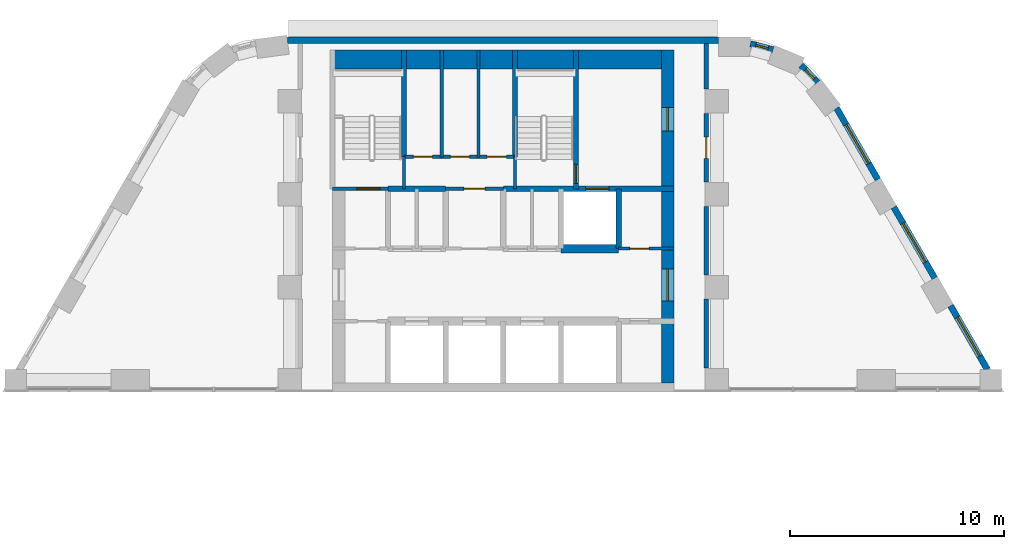
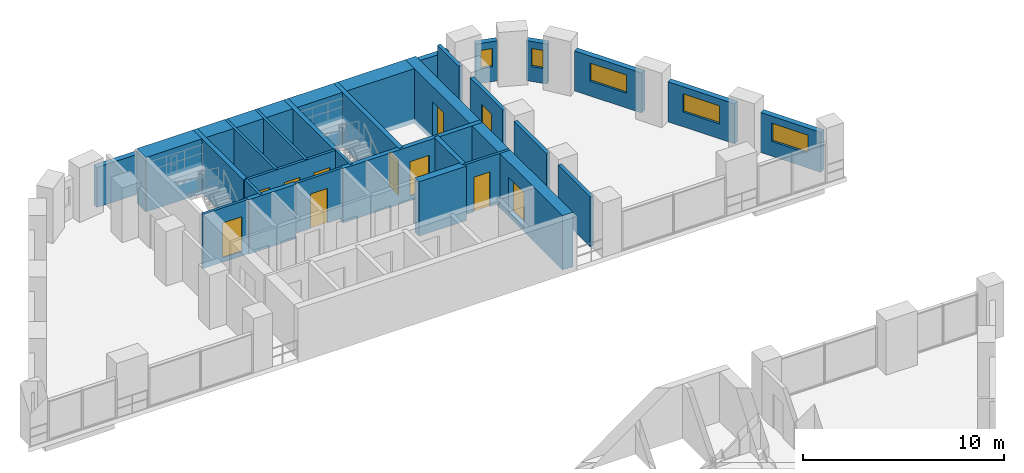
# One storey, part 8 of 11: 27 walls, 11 doors, 5 windows, 16 openings.
"""IFC4 building model written with IfcOpenShell, lengths in metres."""

from ifc_helpers import new_model, si_unit, direction, frame, frame_2d, origin, place, context, subcontext, project, spatial, rectangle, extrude, material, layer, layer_set, type_object, element, fill, save


model = new_model("IFC4")

# Units and contexts
model_context = context("Model", 3, precision=1e-05, world=origin(), true_north=direction((0.0, 1.0)))
body_context = subcontext(model_context, "Body", "Model", "MODEL_VIEW")
ifc_project = project(units=[si_unit("LENGTHUNIT", "METRE"), si_unit("AREAUNIT", "SQUARE_METRE"), si_unit("VOLUMEUNIT", "CUBIC_METRE"), si_unit("PLANEANGLEUNIT", "RADIAN"), si_unit("MASSUNIT", "GRAM", prefix="KILO")], contexts=[model_context])

# Site, building, storey
site_placement = place(None, origin())
site = spatial("IfcSite", under=ifc_project, at=site_placement, CompositionType="ELEMENT")
building_placement = place(site_placement, origin())
building = spatial("IfcBuilding", under=site, at=building_placement, Name="Nakaniwa Court", CompositionType="ELEMENT")
storey_placement = place(building_placement, frame((0.0, 0.0, 31.5)))
storey = spatial("IfcBuildingStorey", under=building, at=storey_placement, Name="L07", CompositionType="ELEMENT", Elevation=31.5)

# Walls
ifc_material_1 = material(Name="Acoustic double stud partition")
ifc_layer_1 = layer(ifc_material_1, 0.199951171875)
ifc_layer_set_1 = layer_set([ifc_layer_1], Name="Acoustic double stud partition")
wall_type_1 = type_object("IfcWallType", Name="Acoustic double stud partition 200", PredefinedType="PARTITIONING", material=ifc_layer_set_1)
wall_1_placement = place(storey_placement, frame((89.5, 88.51708984375, 0.0), z_axis=(0.0, 0.0, 1.0), x_axis=(0.0, 1.0, 0.0)))
element("IfcWall", 1, at=wall_1_placement, inside=storey, type_object=wall_type_1, Name="Partition PW-077", PredefinedType="PARTITIONING", context=body_context, shape_type="SweptSolid", body=[
    extrude(rectangle(XDim=3.2158203125, YDim=0.199951171875, at=frame_2d((1.60791015625, 0.0))), origin(), (0.0, 0.0, 1.0), 3.02490234375),
])
wall_2_placement = place(storey_placement, frame((89.5, 92.866943359375, 0.0), z_axis=(0.0, 0.0, 1.0), x_axis=(0.0, 1.0, 0.0)))
element("IfcWall", 2, at=wall_2_placement, inside=storey, type_object=wall_type_1, Name="Partition PW-078", PredefinedType="PARTITIONING", context=body_context, shape_type="SweptSolid", body=[
    extrude(rectangle(XDim=3.216064453125, YDim=0.199951171875, at=frame_2d((1.60791015625, 0.0))), origin(), (0.0, 0.0, 1.0), 3.02490234375),
])

# Wall, opening, door
wall_3_placement = place(storey_placement, frame((89.5, 100.43310546875, 0.0), z_axis=(0.0, 0.0, 1.0), x_axis=(0.0, -1.0, 0.0)))
wall_3 = element("IfcWall", 3, at=wall_3_placement, inside=storey, type_object=wall_type_1, Name="Partition PW-079", PredefinedType="PARTITIONING", context=body_context, shape_type="SweptSolid", body=[
    extrude(rectangle(XDim=3.216064453125, YDim=0.199951171875, at=frame_2d((1.60791015625, 0.0))), origin(), (0.0, 0.0, 1.0), 3.02490234375),
])
opening_1_placement = place(wall_3_placement, frame((1.10791015625, 0.0, 0.0)))
opening_1 = element("IfcOpeningElement", 4, at=opening_1_placement, cuts=wall_3, Name="Opening D-02-02", PredefinedType="OPENING", context=body_context, shape_type="SweptSolid", body=[
    extrude(rectangle(XDim=1.0, YDim=2.10009765625, at=frame_2d((0.5, 1.050048828125))), frame((0.0, 0.10986328125, 0.0), z_axis=(0.0, -1.0, 0.0), x_axis=(1.0, 0.0, 0.0)), (0.0, 0.0, 1.0), 0.219970703125),
])
ifc_material_2 = material(Name="Solid core timber door set, black veneer", Category="wood")
door_type_1 = type_object("IfcDoorType", Name="Internal door 1000", OperationType="NOTDEFINED", PredefinedType="DOOR", material=ifc_material_2)
door_1_placement = place(opening_1_placement, origin())
door_1 = element("IfcDoor", 5, at=door_1_placement, inside=storey, type_object=door_type_1, Name="Door D-02-02 L07-032", OperationType="SINGLE_SWING_LEFT", OverallHeight=2.10009765625, OverallWidth=1.0, PredefinedType="DOOR", context=body_context, shape_type="SweptSolid", body=[
    extrude(rectangle(XDim=1.0, YDim=2.10009765625, at=frame_2d((0.5, 1.050048828125))), frame((0.0, 0.02490234375, 0.0), z_axis=(0.0, -1.0, 0.0), x_axis=(1.0, 0.0, 0.0)), (0.0, 0.0, 1.0), 0.050048828125),
])
fill(opening_1, door_1)

# Wall
wall_4_placement = place(storey_placement, frame((89.5, 101.56689453125, 0.0), z_axis=(0.0, 0.0, 1.0), x_axis=(0.0, 1.0, 0.0)))
element("IfcWall", 6, at=wall_4_placement, inside=storey, type_object=wall_type_1, Name="Partition PW-080", PredefinedType="PARTITIONING", context=body_context, shape_type="SweptSolid", body=[
    extrude(rectangle(XDim=2.133056640625, YDim=0.199951171875, at=frame_2d((1.06640625, 0.0))), origin(), (0.0, 0.0, 1.0), 3.02490234375),
])

# Wall, opening, window
ifc_material_3 = material(Name="Charcoal ceramic cladding")
ifc_layer_2 = layer(ifc_material_3, 0.02, Name="Ceramic cladding")
ifc_material_4 = material(Name="Ventilated air cavity")
ifc_layer_3 = layer(ifc_material_4, 0.04, ventilated=True, Name="Ventilated cavity")
ifc_material_5 = material(Name="Mineral wool insulation")
ifc_layer_4 = layer(ifc_material_5, 0.1, Name="Insulation")
ifc_material_6 = material(Name="Cement bonded sheathing board")
ifc_layer_5 = layer(ifc_material_6, 0.012, Name="Sheathing")
ifc_material_7 = material(Name="Cold-formed galvanised stud frame with mineral wool infill")
ifc_layer_6 = layer(ifc_material_7, 0.1, Name="Stud frame")
ifc_material_8 = material(Name="Fire-rated gypsum plasterboard lining")
ifc_layer_7 = layer(ifc_material_8, 0.028, Name="Lining")
ifc_layer_set_2 = layer_set([ifc_layer_2, ifc_layer_3, ifc_layer_4, ifc_layer_5, ifc_layer_6, ifc_layer_7], Name="Charcoal ceramic faced external wall system")
wall_type_2 = type_object("IfcWallType", Name="Black ceramic faced external wall 300", PredefinedType="SOLIDWALL", material=ifc_layer_set_2)
wall_5_placement = place(storey_placement, frame((102.6630859375, 88.446533203125, 0.0), z_axis=(0.0, 0.0, 1.0), x_axis=(-0.500035437112, 0.866004943191, 0.0)))
wall_5 = element("IfcWall", 7, at=wall_5_placement, inside=storey, type_object=wall_type_2, Name="L07 external wall 21", PredefinedType="SOLIDWALL", context=body_context, shape_type="SweptSolid", body=[
    extrude(rectangle(XDim=3.443603515625, YDim=0.300048828125, at=frame_2d((1.7216796875, 0.0))), origin(), (0.0, 0.0, 1.0), 2.425048828125),
])
opening_2_placement = place(wall_5_placement, frame((0.722412109375, 0.0, 0.89990234375)))
opening_2 = element("IfcOpeningElement", 8, at=opening_2_placement, cuts=wall_5, Name="Opening W7.13", PredefinedType="OPENING", context=body_context, shape_type="SweptSolid", body=[
    extrude(rectangle(XDim=2.10009765625, YDim=1.10009765625, at=frame_2d((1.050048828125, 0.550048828125))), frame((0.0, 0.159912109375, 0.0), z_axis=(0.0, -1.0, 0.0), x_axis=(1.0, 0.0, 0.0)), (0.0, 0.0, 1.0), 0.320068359375),
])
ifc_material_9 = material(Name="Black anodised aluminium frame with dark low-E laminated double glazing", Category="aluminium")
window_type_1 = type_object("IfcWindowType", Name="Dark glass window 2100x1100 sill 900", PartitioningType="SINGLE_PANEL", PredefinedType="WINDOW", material=ifc_material_9)
window_1_placement = place(opening_2_placement, origin())
window_1 = element("IfcWindow", 9, at=window_1_placement, inside=storey, type_object=window_type_1, Name="L07 habitable room window 21-0", OverallHeight=1.10009765625, OverallWidth=2.10009765625, PartitioningType="SINGLE_PANEL", PredefinedType="WINDOW", context=body_context, shape_type="SweptSolid", body=[
    extrude(rectangle(XDim=2.10009765625, YDim=1.10009765625, at=frame_2d((1.050048828125, 0.550048828125))), frame((0.0, 0.030029296875, 0.0), z_axis=(0.0, -1.0, 0.0), x_axis=(1.0, 0.0, 0.0)), (0.0, 0.0, 1.0), 0.06005859375),
])
fill(opening_2, window_1)

wall_6_placement = place(storey_placement, frame((100.1953125, 92.720703125, 0.0), z_axis=(0.0, 0.0, 1.0), x_axis=(-0.500001735503, 0.866024401789, 0.0)))
wall_6 = element("IfcWall", 10, at=wall_6_placement, inside=storey, type_object=wall_type_2, Name="L07 external wall 22", PredefinedType="SOLIDWALL", context=body_context, shape_type="SweptSolid", body=[
    extrude(rectangle(XDim=3.833984375, YDim=0.300048828125, at=frame_2d((1.9169921875, 0.0))), origin(), (0.0, 0.0, 1.0), 2.425048828125),
])
opening_3_placement = place(wall_6_placement, frame((0.866943359375, 0.0, 0.89990234375)))
opening_3 = element("IfcOpeningElement", 11, at=opening_3_placement, cuts=wall_6, Name="Opening W7.14", PredefinedType="OPENING", context=body_context, shape_type="SweptSolid", body=[
    extrude(rectangle(XDim=2.10009765625, YDim=1.10009765625, at=frame_2d((1.050048828125, 0.550048828125))), frame((0.0, 0.159912109375, 0.0), z_axis=(0.0, -1.0, 0.0), x_axis=(1.0, 0.0, 0.0)), (0.0, 0.0, 1.0), 0.320068359375),
])
window_2_placement = place(opening_3_placement, origin())
window_2 = element("IfcWindow", 12, at=window_2_placement, inside=storey, type_object=window_type_1, Name="L07 habitable room window 22-0", OverallHeight=1.10009765625, OverallWidth=2.10009765625, PartitioningType="SINGLE_PANEL", PredefinedType="WINDOW", context=body_context, shape_type="SweptSolid", body=[
    extrude(rectangle(XDim=2.10009765625, YDim=1.10009765625, at=frame_2d((1.050048828125, 0.550048828125))), frame((0.0, 0.030029296875, 0.0), z_axis=(0.0, -1.0, 0.0), x_axis=(1.0, 0.0, 0.0)), (0.0, 0.0, 1.0), 0.06005859375),
])
fill(opening_3, window_2)

wall_7_placement = place(storey_placement, frame((97.5322265625, 97.3330078125, 0.0), z_axis=(0.0, 0.0, 1.0), x_axis=(-0.499948341072, 0.866055227026, 0.0)))
wall_7 = element("IfcWall", 13, at=wall_7_placement, inside=storey, type_object=wall_type_2, Name="L07 external wall 23", PredefinedType="SOLIDWALL", context=body_context, shape_type="SweptSolid", body=[
    extrude(rectangle(XDim=3.8671875, YDim=0.300048828125, at=frame_2d((1.93359375, 0.0))), origin(), (0.0, 0.0, 1.0), 2.425048828125),
])
opening_4_placement = place(wall_7_placement, frame((0.872314453125, 0.0, 0.89990234375)))
opening_4 = element("IfcOpeningElement", 14, at=opening_4_placement, cuts=wall_7, Name="Opening W7.15", PredefinedType="OPENING", context=body_context, shape_type="SweptSolid", body=[
    extrude(rectangle(XDim=2.10009765625, YDim=1.10009765625, at=frame_2d((1.050048828125, 0.550048828125))), frame((0.0, 0.159912109375, 0.0), z_axis=(0.0, -1.0, 0.0), x_axis=(1.0, 0.0, 0.0)), (0.0, 0.0, 1.0), 0.320068359375),
])
window_3_placement = place(opening_4_placement, origin())
window_3 = element("IfcWindow", 15, at=window_3_placement, inside=storey, type_object=window_type_1, Name="L07 habitable room window 23-0", OverallHeight=1.10009765625, OverallWidth=2.10009765625, PartitioningType="SINGLE_PANEL", PredefinedType="WINDOW", context=body_context, shape_type="SweptSolid", body=[
    extrude(rectangle(XDim=2.10009765625, YDim=1.10009765625, at=frame_2d((1.050048828125, 0.550048828125))), frame((0.0, 0.030029296875, 0.0), z_axis=(0.0, -1.0, 0.0), x_axis=(1.0, 0.0, 0.0)), (0.0, 0.0, 1.0), 0.06005859375),
])
fill(opening_4, window_3)

wall_8_placement = place(storey_placement, frame((94.712646484375, 101.8828125, 0.0), z_axis=(0.0, 0.0, 1.0), x_axis=(-0.696138968055, 0.717907053285, 0.0)))
wall_8 = element("IfcWall", 16, at=wall_8_placement, inside=storey, type_object=wall_type_2, Name="L07 external wall 24", PredefinedType="SOLIDWALL", context=body_context, shape_type="SweptSolid", body=[
    extrude(rectangle(XDim=1.1103515625, YDim=0.300048828125, at=frame_2d((0.55517578125, 0.0))), origin(), (0.0, 0.0, 1.0), 2.425048828125),
])
opening_5_placement = place(wall_8_placement, frame((0.230712890625, 0.0, 0.89990234375)))
opening_5 = element("IfcOpeningElement", 17, at=opening_5_placement, cuts=wall_8, Name="Opening W8.16", PredefinedType="OPENING", context=body_context, shape_type="SweptSolid", body=[
    extrude(rectangle(XDim=0.60009765625, YDim=1.10009765625, at=frame_2d((0.300048828125, 0.550048828125))), frame((0.0, 0.159912109375, 0.0), z_axis=(0.0, -1.0, 0.0), x_axis=(1.0, 0.0, 0.0)), (0.0, 0.0, 1.0), 0.320068359375),
])
window_type_2 = type_object("IfcWindowType", Name="Dark glass window 600x1100 sill 900", PartitioningType="SINGLE_PANEL", PredefinedType="WINDOW", material=ifc_material_9)
window_4_placement = place(opening_5_placement, origin())
window_4 = element("IfcWindow", 18, at=window_4_placement, inside=storey, type_object=window_type_2, Name="L07 habitable room window 24-0", OverallHeight=1.10009765625, OverallWidth=0.60009765625, PartitioningType="SINGLE_PANEL", PredefinedType="WINDOW", context=body_context, shape_type="SweptSolid", body=[
    extrude(rectangle(XDim=0.60009765625, YDim=1.10009765625, at=frame_2d((0.300048828125, 0.550048828125))), frame((0.0, 0.030029296875, 0.0), z_axis=(0.0, -1.0, 0.0), x_axis=(1.0, 0.0, 0.0)), (0.0, 0.0, 1.0), 0.06005859375),
])
fill(opening_5, window_4)

wall_9_placement = place(storey_placement, frame((92.62548828125, 103.406982421875, 0.0), z_axis=(0.0, 0.0, 1.0), x_axis=(-0.96522637192, 0.261415475728, 0.0)))
wall_9 = element("IfcWall", 19, at=wall_9_placement, inside=storey, type_object=wall_type_2, Name="L07 external wall 25", PredefinedType="SOLIDWALL", context=body_context, shape_type="SweptSolid", body=[
    extrude(rectangle(XDim=1.0927734375, YDim=0.300048828125, at=frame_2d((0.54638671875, 0.0))), origin(), (0.0, 0.0, 1.0), 2.425048828125),
])
opening_6_placement = place(wall_9_placement, frame((0.236083984375, 0.0, 0.89990234375)))
opening_6 = element("IfcOpeningElement", 20, at=opening_6_placement, cuts=wall_9, Name="Opening W8.17", PredefinedType="OPENING", context=body_context, shape_type="SweptSolid", body=[
    extrude(rectangle(XDim=0.60009765625, YDim=1.10009765625, at=frame_2d((0.300048828125, 0.550048828125))), frame((0.0, 0.159912109375, 0.0), z_axis=(0.0, -1.0, 0.0), x_axis=(1.0, 0.0, 0.0)), (0.0, 0.0, 1.0), 0.320068359375),
])
window_5_placement = place(opening_6_placement, origin())
window_5 = element("IfcWindow", 21, at=window_5_placement, inside=storey, type_object=window_type_2, Name="L07 habitable room window 25-0", OverallHeight=1.10009765625, OverallWidth=0.60009765625, PartitioningType="SINGLE_PANEL", PredefinedType="WINDOW", context=body_context, shape_type="SweptSolid", body=[
    extrude(rectangle(XDim=0.60009765625, YDim=1.10009765625, at=frame_2d((0.300048828125, 0.550048828125))), frame((0.0, 0.030029296875, 0.0), z_axis=(0.0, -1.0, 0.0), x_axis=(1.0, 0.0, 0.0)), (0.0, 0.0, 1.0), 0.06005859375),
])
fill(opening_6, window_5)

# Wall
wall_10_placement = place(storey_placement, frame((90.07861328125, 103.85009765625, 0.0), z_axis=(0.0, 0.0, 1.0), x_axis=(-1.0, 0.0, 0.0)))
element("IfcWall", 22, at=wall_10_placement, inside=storey, type_object=wall_type_2, Name="L07 external wall 26", PredefinedType="SOLIDWALL", context=body_context, shape_type="SweptSolid", body=[
    extrude(rectangle(XDim=20.1904296875, YDim=0.300048828125, at=frame_2d((10.09521484375, 0.0))), origin(), (0.0, 0.0, 1.0), 2.425048828125),
])

# Wall, opening, door
ifc_material_10 = material(Name="Blockwork partition", Category="masonry")
ifc_layer_8 = layer(ifc_material_10, 0.14990234375)
ifc_layer_set_3 = layer_set([ifc_layer_8], Name="Blockwork partition")
wall_type_3 = type_object("IfcWallType", Name="Blockwork partition 150", PredefinedType="PARTITIONING", material=ifc_layer_set_3)
wall_11_placement = place(storey_placement, frame((85.39697265625, 94.10009765625, 0.0), z_axis=(0.0, 0.0, 1.0), x_axis=(1.0, 0.0, 0.0)))
wall_11 = element("IfcWall", 23, at=wall_11_placement, inside=storey, type_object=wall_type_3, Name="Partition PW-018", PredefinedType="PARTITIONING", context=body_context, shape_type="SweptSolid", body=[
    extrude(rectangle(XDim=2.60302734375, YDim=0.14990234375, at=frame_2d((1.301513671875, 0.0))), origin(), (0.0, 0.0, 1.0), 3.02490234375),
])
opening_7_placement = place(wall_11_placement, frame((0.528076171875, 0.0, 0.0)))
opening_7 = element("IfcOpeningElement", 24, at=opening_7_placement, cuts=wall_11, Name="Opening D-05-07", PredefinedType="OPENING", context=body_context, shape_type="SweptSolid", body=[
    extrude(rectangle(XDim=0.89990234375, YDim=2.10009765625, at=frame_2d((0.449951171875, 1.050048828125))), frame((0.0, 0.0849609375, 0.0), z_axis=(0.0, -1.0, 0.0), x_axis=(1.0, 0.0, 0.0)), (0.0, 0.0, 1.0), 0.169921875),
])
ifc_material_11 = material(Name="Fire rated steel door set", Category="steel")
door_type_2 = type_object("IfcDoorType", Name="Service room door 900", OperationType="NOTDEFINED", PredefinedType="DOOR", material=ifc_material_11)
door_2_placement = place(opening_7_placement, origin())
door_2 = element("IfcDoor", 25, at=door_2_placement, inside=storey, type_object=door_type_2, Name="Door D-05-07 L07-009", OperationType="SINGLE_SWING_RIGHT", OverallHeight=2.10009765625, OverallWidth=0.89990234375, PredefinedType="DOOR", context=body_context, shape_type="SweptSolid", body=[
    extrude(rectangle(XDim=0.89990234375, YDim=2.10009765625, at=frame_2d((0.449951171875, 1.050048828125))), frame((0.0, 0.02490234375, 0.0), z_axis=(0.0, -1.0, 0.0), x_axis=(1.0, 0.0, 0.0)), (0.0, 0.0, 1.0), 0.050048828125),
])
fill(opening_7, door_2)

wall_12_placement = place(storey_placement, frame((77.300048828125, 96.89990234375, 0.0), z_axis=(0.0, 0.0, 1.0), x_axis=(1.0, 0.0, 0.0)))
wall_12 = element("IfcWall", 26, at=wall_12_placement, inside=storey, type_object=wall_type_3, Name="Partition PW-026", PredefinedType="PARTITIONING", context=body_context, shape_type="SweptSolid", body=[
    extrude(rectangle(XDim=2.699951171875, YDim=0.14990234375, at=frame_2d((1.35009765625, 0.0))), origin(), (0.0, 0.0, 1.0), 3.02490234375),
])
opening_8_placement = place(wall_12_placement, frame((0.85009765625, 0.0, 0.0)))
opening_8 = element("IfcOpeningElement", 27, at=opening_8_placement, cuts=wall_12, Name="Opening D-23-01", PredefinedType="OPENING", context=body_context, shape_type="SweptSolid", body=[
    extrude(rectangle(XDim=1.0, YDim=2.10009765625, at=frame_2d((0.5, 1.050048828125))), frame((0.0, 0.0849609375, 0.0), z_axis=(0.0, -1.0, 0.0), x_axis=(1.0, 0.0, 0.0)), (0.0, 0.0, 1.0), 0.169921875),
])
door_type_3 = type_object("IfcDoorType", Name="Service room door 1000", OperationType="NOTDEFINED", PredefinedType="DOOR", material=ifc_material_11)
door_3_placement = place(opening_8_placement, origin())
door_3 = element("IfcDoor", 28, at=door_3_placement, inside=storey, type_object=door_type_3, Name="Door D-23-01 L07-010", OperationType="SINGLE_SWING_LEFT", OverallHeight=2.10009765625, OverallWidth=1.0, PredefinedType="DOOR", context=body_context, shape_type="SweptSolid", body=[
    extrude(rectangle(XDim=1.0, YDim=2.10009765625, at=frame_2d((0.5, 1.050048828125))), frame((0.0, 0.02490234375, 0.0), z_axis=(0.0, -1.0, 0.0), x_axis=(1.0, 0.0, 0.0)), (0.0, 0.0, 1.0), 0.050048828125),
])
fill(opening_8, door_3)

# Wall, openings, doors
wall_13_placement = place(storey_placement, frame((75.35009765625, 98.39990234375, 0.0), z_axis=(0.0, 0.0, 1.0), x_axis=(1.0, 0.0, 0.0)))
wall_13 = element("IfcWall", 29, at=wall_13_placement, inside=storey, type_object=wall_type_3, Name="Partition PW-034", PredefinedType="PARTITIONING", context=body_context, shape_type="SweptSolid", body=[
    extrude(rectangle(XDim=5.199951171875, YDim=0.14990234375, at=frame_2d((2.60009765625, 0.0))), origin(), (0.0, 0.0, 1.0), 3.02490234375),
])
opening_9_placement = place(wall_13_placement, frame((0.43408203125, 0.0, 0.0)))
opening_9 = element("IfcOpeningElement", 30, at=opening_9_placement, cuts=wall_13, Name="Opening D-05-08", PredefinedType="OPENING", context=body_context, shape_type="SweptSolid", body=[
    extrude(rectangle(XDim=0.89990234375, YDim=2.10009765625, at=frame_2d((0.449951171875, 1.050048828125))), frame((0.0, 0.0849609375, 0.0), z_axis=(0.0, -1.0, 0.0), x_axis=(1.0, 0.0, 0.0)), (0.0, 0.0, 1.0), 0.169921875),
])
opening_10_placement = place(wall_13_placement, frame((2.176025390625, 0.0, 0.0)))
opening_10 = element("IfcOpeningElement", 31, at=opening_10_placement, cuts=wall_13, Name="Opening D-05-09", PredefinedType="OPENING", context=body_context, shape_type="SweptSolid", body=[
    extrude(rectangle(XDim=0.89990234375, YDim=2.10009765625, at=frame_2d((0.449951171875, 1.050048828125))), frame((0.0, 0.0849609375, 0.0), z_axis=(0.0, -1.0, 0.0), x_axis=(1.0, 0.0, 0.0)), (0.0, 0.0, 1.0), 0.169921875),
])
opening_11_placement = place(wall_13_placement, frame((3.89208984375, 0.0, 0.0)))
opening_11 = element("IfcOpeningElement", 32, at=opening_11_placement, cuts=wall_13, Name="Opening D-05-10", PredefinedType="OPENING", context=body_context, shape_type="SweptSolid", body=[
    extrude(rectangle(XDim=0.89990234375, YDim=2.10009765625, at=frame_2d((0.449951171875, 1.050048828125))), frame((0.0, 0.0849609375, 0.0), z_axis=(0.0, -1.0, 0.0), x_axis=(1.0, 0.0, 0.0)), (0.0, 0.0, 1.0), 0.169921875),
])
door_4_placement = place(opening_9_placement, origin())
door_4 = element("IfcDoor", 33, at=door_4_placement, inside=storey, type_object=door_type_2, Name="Door D-05-08 L07-011", OperationType="SINGLE_SWING_RIGHT", OverallHeight=2.10009765625, OverallWidth=0.89990234375, PredefinedType="DOOR", context=body_context, shape_type="SweptSolid", body=[
    extrude(rectangle(XDim=0.89990234375, YDim=2.10009765625, at=frame_2d((0.449951171875, 1.050048828125))), frame((0.0, 0.02490234375, 0.0), z_axis=(0.0, -1.0, 0.0), x_axis=(1.0, 0.0, 0.0)), (0.0, 0.0, 1.0), 0.050048828125),
])
fill(opening_9, door_4)
door_5_placement = place(opening_10_placement, origin())
door_5 = element("IfcDoor", 34, at=door_5_placement, inside=storey, type_object=door_type_2, Name="Door D-05-09 L07-012", OperationType="SINGLE_SWING_LEFT", OverallHeight=2.10009765625, OverallWidth=0.89990234375, PredefinedType="DOOR", context=body_context, shape_type="SweptSolid", body=[
    extrude(rectangle(XDim=0.89990234375, YDim=2.10009765625, at=frame_2d((0.449951171875, 1.050048828125))), frame((0.0, 0.02490234375, 0.0), z_axis=(0.0, -1.0, 0.0), x_axis=(1.0, 0.0, 0.0)), (0.0, 0.0, 1.0), 0.050048828125),
])
fill(opening_10, door_5)
door_6_placement = place(opening_11_placement, origin())
door_6 = element("IfcDoor", 35, at=door_6_placement, inside=storey, type_object=door_type_2, Name="Door D-05-10 L07-013", OperationType="SINGLE_SWING_RIGHT", OverallHeight=2.10009765625, OverallWidth=0.89990234375, PredefinedType="DOOR", context=body_context, shape_type="SweptSolid", body=[
    extrude(rectangle(XDim=0.89990234375, YDim=2.10009765625, at=frame_2d((0.449951171875, 1.050048828125))), frame((0.0, 0.02490234375, 0.0), z_axis=(0.0, -1.0, 0.0), x_axis=(1.0, 0.0, 0.0)), (0.0, 0.0, 1.0), 0.050048828125),
])
fill(opening_11, door_6)

# Walls
for number, where, z_axis, x_axis, name in (
    (36, (77.117919921875, 98.39990234375, 0.0), (0.0, 0.0, 1.0), (0.0, 1.0, 0.0), "Partition PW-035"),
    (37, (78.833984375, 98.39990234375, 0.0), (0.0, 0.0, 1.0), (0.0, 1.0, 0.0), "Partition PW-036"),
):
    element("IfcWall", number, at=place(storey_placement, frame(where, z_axis=z_axis, x_axis=x_axis)), inside=storey, type_object=wall_type_3, Name=name, PredefinedType="PARTITIONING", context=body_context, shape_type="SweptSolid", body=[
        extrude(rectangle(XDim=5.0, YDim=0.14990234375, at=frame_2d((2.5, 0.0))), origin(), (0.0, 0.0, 1.0), 3.02490234375),
    ])

# Wall, openings, doors
ifc_material_12 = material(Name="Concrete C100/115", Category="concrete")
ifc_layer_9 = layer(ifc_material_12, 0.60009765625)
ifc_layer_set_4 = layer_set([ifc_layer_9], Name="Concrete C100/115")
wall_type_4 = type_object("IfcWallType", Name="Concrete core side wall 600 C100", PredefinedType="SHEAR", material=ifc_layer_set_4)
wall_14_placement = place(storey_placement, frame((87.699951171875, 103.39990234375, -0.27490234375), z_axis=(0.0, 0.0, 1.0), x_axis=(0.0, -1.0, 0.0)))
wall_14 = element("IfcWall", 38, at=wall_14_placement, inside=storey, type_object=wall_type_4, Name="Core wall SW-15", PredefinedType="SHEAR", context=body_context, shape_type="SweptSolid", body=[
    extrude(rectangle(XDim=15.599853515625, YDim=0.60009765625, at=frame_2d((7.7998046875, 0.0))), origin(), (0.0, 0.0, 1.0), 3.2998046875),
])
opening_12_placement = place(wall_14_placement, frame((10.25, 0.0, 0.27490234375)))
opening_12 = element("IfcOpeningElement", 39, at=opening_12_placement, cuts=wall_14, Name="Opening D-07-01", PredefinedType="OPENING", context=body_context, shape_type="SweptSolid", body=[
    extrude(rectangle(XDim=1.5, YDim=2.10009765625, at=frame_2d((0.75, 1.050048828125))), frame((0.0, 0.31005859375, 0.0), z_axis=(0.0, -1.0, 0.0), x_axis=(1.0, 0.0, 0.0)), (0.0, 0.0, 1.0), 0.6201171875),
])
opening_13_placement = place(wall_14_placement, frame((2.699951171875, 0.0, 0.27490234375)))
opening_13 = element("IfcOpeningElement", 40, at=opening_13_placement, cuts=wall_14, Name="Opening D-10-01", PredefinedType="OPENING", context=body_context, shape_type="SweptSolid", body=[
    extrude(rectangle(XDim=1.10009765625, YDim=2.10009765625, at=frame_2d((0.550048828125, 1.050048828125))), frame((0.0, 0.31005859375, 0.0), z_axis=(0.0, -1.0, 0.0), x_axis=(1.0, 0.0, 0.0)), (0.0, 0.0, 1.0), 0.6201171875),
])
door_type_4 = type_object("IfcDoorType", Name="Firefighting lobby door 1100", OperationType="NOTDEFINED", PredefinedType="DOOR", material=ifc_material_11)
door_7_placement = place(opening_13_placement, origin())
door_7 = element("IfcDoor", 41, at=door_7_placement, inside=storey, type_object=door_type_4, Name="Door D-10-01 L07-037", OperationType="SINGLE_SWING_RIGHT", OverallHeight=2.10009765625, OverallWidth=1.10009765625, PredefinedType="DOOR", context=body_context, shape_type="SweptSolid", body=[
    extrude(rectangle(XDim=1.10009765625, YDim=2.10009765625, at=frame_2d((0.550048828125, 1.050048828125))), frame((0.0, 0.02490234375, 0.0), z_axis=(0.0, -1.0, 0.0), x_axis=(1.0, 0.0, 0.0)), (0.0, 0.0, 1.0), 0.050048828125),
])
fill(opening_13, door_7)
ifc_material_13 = material(Name="Glazed fire rated steel double door set", Category="steel")
door_type_5 = type_object("IfcDoorType", Name="Lobby double door 1500", OperationType="NOTDEFINED", PredefinedType="DOOR", material=ifc_material_13)
door_8_placement = place(opening_12_placement, origin())
door_8 = element("IfcDoor", 42, at=door_8_placement, inside=storey, type_object=door_type_5, Name="Door D-07-01 L07-035", OperationType="DOUBLE_DOOR_SINGLE_SWING", OverallHeight=2.10009765625, OverallWidth=1.5, PredefinedType="DOOR", context=body_context, shape_type="SweptSolid", body=[
    extrude(rectangle(XDim=1.5, YDim=2.10009765625, at=frame_2d((0.75, 1.050048828125))), frame((0.0, 0.02490234375, 0.0), z_axis=(0.0, -1.0, 0.0), x_axis=(1.0, 0.0, 0.0)), (0.0, 0.0, 1.0), 0.050048828125),
])
fill(opening_12, door_8)

# Wall
ifc_layer_10 = layer(ifc_material_12, 0.39990234375)
ifc_layer_set_5 = layer_set([ifc_layer_10], Name="Concrete C100/115")
wall_type_5 = type_object("IfcWallType", Name="Concrete core spine wall 400 C100", PredefinedType="SHEAR", material=ifc_layer_set_5)
wall_15_placement = place(storey_placement, frame((82.697021484375, 94.10009765625, -0.27490234375), z_axis=(0.0, 0.0, 1.0), x_axis=(1.0, 0.0, 0.0)))
element("IfcWall", 43, at=wall_15_placement, inside=storey, type_object=wall_type_5, Name="Core wall SW-21", PredefinedType="SHEAR", context=body_context, shape_type="SweptSolid", body=[
    extrude(rectangle(XDim=2.7060546875, YDim=0.39990234375, at=frame_2d((1.35302734375, 0.0))), origin(), (0.0, 0.0, 1.0), 3.2998046875),
])

# Wall, opening, door
ifc_layer_11 = layer(ifc_material_12, 0.14990234375)
ifc_layer_set_6 = layer_set([ifc_layer_11], Name="Concrete C100/115")
wall_type_6 = type_object("IfcWallType", Name="Concrete core wall 150 C100", PredefinedType="SHEAR", material=ifc_layer_set_6)
wall_16_placement = place(storey_placement, frame((74.60009765625, 96.89990234375, -0.27490234375), z_axis=(0.0, 0.0, 1.0), x_axis=(-1.0, 0.0, 0.0)))
wall_16 = element("IfcWall", 44, at=wall_16_placement, inside=storey, type_object=wall_type_6, Name="Core wall SW-22", PredefinedType="SHEAR", context=body_context, shape_type="SweptSolid", body=[
    extrude(rectangle(XDim=2.60009765625, YDim=0.14990234375, at=frame_2d((1.300048828125, 0.0))), origin(), (0.0, 0.0, 1.0), 3.2998046875),
])
opening_14_placement = place(wall_16_placement, frame((0.3701171875, 0.0, 0.27490234375)))
opening_14 = element("IfcOpeningElement", 45, at=opening_14_placement, cuts=wall_16, Name="Opening D-09-01", PredefinedType="OPENING", context=body_context, shape_type="SweptSolid", body=[
    extrude(rectangle(XDim=1.10009765625, YDim=2.10009765625, at=frame_2d((0.550048828125, 1.050048828125))), frame((0.0, 0.0849609375, 0.0), z_axis=(0.0, -1.0, 0.0), x_axis=(1.0, 0.0, 0.0)), (0.0, 0.0, 1.0), 0.169921875),
])
door_type_6 = type_object("IfcDoorType", Name="Stair door 1100", OperationType="NOTDEFINED", PredefinedType="DOOR", material=ifc_material_11)
door_9_placement = place(opening_14_placement, origin())
door_9 = element("IfcDoor", 46, at=door_9_placement, inside=storey, type_object=door_type_6, Name="Door D-09-01 L07-014", OperationType="SINGLE_SWING_RIGHT", OverallHeight=2.10009765625, OverallWidth=1.10009765625, PredefinedType="DOOR", context=body_context, shape_type="SweptSolid", body=[
    extrude(rectangle(XDim=1.10009765625, YDim=2.10009765625, at=frame_2d((0.550048828125, 1.050048828125))), frame((0.0, 0.02490234375, 0.0), z_axis=(0.0, -1.0, 0.0), x_axis=(1.0, 0.0, 0.0)), (0.0, 0.0, 1.0), 0.050048828125),
])
fill(opening_14, door_9)

# Walls
for number, where, z_axis, x_axis, name in (
    (47, (75.35009765625, 96.89990234375, -0.27490234375), (0.0, 0.0, 1.0), (0.0, 1.0, 0.0), "Core wall SW-28"),
    (48, (80.550048828125, 96.89990234375, -0.27490234375), (0.0, 0.0, 1.0), (0.0, 1.0, 0.0), "Core wall SW-32"),
):
    element("IfcWall", number, at=place(storey_placement, frame(where, z_axis=z_axis, x_axis=x_axis)), inside=storey, type_object=wall_type_6, Name=name, PredefinedType="SHEAR", context=body_context, shape_type="SweptSolid", body=[
        extrude(rectangle(XDim=1.503173828125, YDim=0.14990234375, at=frame_2d((0.75146484375, 0.0))), origin(), (0.0, 0.0, 1.0), 3.2998046875),
    ])
ifc_layer_12 = layer(ifc_material_12, 0.89990234375)
ifc_layer_set_7 = layer_set([ifc_layer_12], Name="Concrete C100/115")
wall_type_7 = type_object("IfcWallType", Name="Concrete core wall 900 C100", PredefinedType="SHEAR", material=ifc_layer_set_7)
wall_17_placement = place(storey_placement, frame((72.00390625, 102.949951171875, -0.27490234375), z_axis=(0.0, 0.0, 1.0), x_axis=(1.0, 0.0, 0.0)))
element("IfcWall", 49, at=wall_17_placement, inside=storey, type_object=wall_type_7, Name="Core wall SW-90", PredefinedType="SHEAR", context=body_context, shape_type="SweptSolid", body=[
    extrude(rectangle(XDim=15.9921875, YDim=0.89990234375, at=frame_2d((7.99609375, 0.0))), origin(), (0.0, 0.0, 1.0), 3.2998046875),
])
ifc_layer_13 = layer(ifc_material_12, 0.25)
ifc_layer_set_8 = layer_set([ifc_layer_13], Name="Concrete C100/115")
wall_type_8 = type_object("IfcWallType", Name="Concrete shaft wall 250 C100", PredefinedType="SHEAR", material=ifc_layer_set_8)
wall_18_placement = place(storey_placement, frame((85.39990234375, 94.10009765625, -0.27490234375), z_axis=(0.0, 0.0, 1.0), x_axis=(0.0, 1.0, 0.0)))
element("IfcWall", 50, at=wall_18_placement, inside=storey, type_object=wall_type_8, Name="Core wall SW-13", PredefinedType="SHEAR", context=body_context, shape_type="SweptSolid", body=[
    extrude(rectangle(XDim=2.7998046875, YDim=0.25, at=frame_2d((1.39990234375, 0.0))), origin(), (0.0, 0.0, 1.0), 3.2998046875),
])
wall_19_placement = place(storey_placement, frame((74.60009765625, 96.89990234375, -0.27490234375), z_axis=(0.0, 0.0, 1.0), x_axis=(1.0, 0.0, 0.0)))
element("IfcWall", 51, at=wall_19_placement, inside=storey, type_object=wall_type_8, Name="Core wall SW-24", PredefinedType="SHEAR", context=body_context, shape_type="SweptSolid", body=[
    extrude(rectangle(XDim=2.699951171875, YDim=0.25, at=frame_2d((1.35009765625, 0.0))), origin(), (0.0, 0.0, 1.0), 3.2998046875),
])

# Wall, opening, door
wall_20_placement = place(storey_placement, frame((80.0, 96.89990234375, -0.27490234375), z_axis=(0.0, 0.0, 1.0), x_axis=(1.0, 0.0, 0.0)))
wall_20 = element("IfcWall", 52, at=wall_20_placement, inside=storey, type_object=wall_type_8, Name="Core wall SW-25", PredefinedType="SHEAR", context=body_context, shape_type="SweptSolid", body=[
    extrude(rectangle(XDim=8.0, YDim=0.25, at=frame_2d((4.0, 0.0))), origin(), (0.0, 0.0, 1.0), 3.2998046875),
])
opening_15_placement = place(wall_20_placement, frame((3.84912109375, 0.0, 0.27490234375)))
opening_15 = element("IfcOpeningElement", 53, at=opening_15_placement, cuts=wall_20, Name="Opening LD04", PredefinedType="OPENING", context=body_context, shape_type="SweptSolid", body=[
    extrude(rectangle(XDim=1.10009765625, YDim=2.10009765625, at=frame_2d((0.550048828125, 1.050048828125))), frame((0.0, 0.135009765625, 0.0), z_axis=(0.0, -1.0, 0.0), x_axis=(1.0, 0.0, 0.0)), (0.0, 0.0, 1.0), 0.27001953125),
])
ifc_material_14 = material(Name="Stainless steel sliding lift landing door", Category="steel")
door_type_7 = type_object("IfcDoorType", Name="Lift landing door 1100", OperationType="NOTDEFINED", PredefinedType="DOOR", material=ifc_material_14)
door_10_placement = place(opening_15_placement, origin())
door_10 = element("IfcDoor", 54, at=door_10_placement, inside=storey, type_object=door_type_7, Name="Lift landing door LD04 L07-004", OperationType="SLIDING_TO_LEFT", OverallHeight=2.10009765625, OverallWidth=1.10009765625, PredefinedType="DOOR", context=body_context, shape_type="SweptSolid", body=[
    extrude(rectangle(XDim=1.10009765625, YDim=2.10009765625, at=frame_2d((0.550048828125, 1.050048828125))), frame((0.0, 0.02490234375, 0.0), z_axis=(0.0, -1.0, 0.0), x_axis=(1.0, 0.0, 0.0)), (0.0, 0.0, 1.0), 0.050048828125),
])
fill(opening_15, door_10)

# Wall
wall_21_placement = place(storey_placement, frame((75.35009765625, 98.39697265625, -0.27490234375), z_axis=(0.0, 0.0, 1.0), x_axis=(0.0, 1.0, 0.0)))
element("IfcWall", 55, at=wall_21_placement, inside=storey, type_object=wall_type_8, Name="Core wall SW-29", PredefinedType="SHEAR", context=body_context, shape_type="SweptSolid", body=[
    extrude(rectangle(XDim=5.0029296875, YDim=0.25, at=frame_2d((2.50146484375, 0.0))), origin(), (0.0, 0.0, 1.0), 3.2998046875),
])

# Wall, opening, door
wall_22_placement = place(storey_placement, frame((83.39990234375, 103.39990234375, -0.27490234375), z_axis=(0.0, 0.0, 1.0), x_axis=(0.0, -1.0, 0.0)))
wall_22 = element("IfcWall", 56, at=wall_22_placement, inside=storey, type_object=wall_type_8, Name="Core wall SW-31", PredefinedType="SHEAR", context=body_context, shape_type="SweptSolid", body=[
    extrude(rectangle(XDim=6.5, YDim=0.25, at=frame_2d((3.25, 0.0))), origin(), (0.0, 0.0, 1.0), 3.2998046875),
])
opening_16_placement = place(wall_22_placement, frame((5.35009765625, 0.0, 0.27490234375)))
opening_16 = element("IfcOpeningElement", 57, at=opening_16_placement, cuts=wall_22, Name="Opening D-11-01", PredefinedType="OPENING", context=body_context, shape_type="SweptSolid", body=[
    extrude(rectangle(XDim=0.89990234375, YDim=2.10009765625, at=frame_2d((0.449951171875, 1.050048828125))), frame((0.0, 0.135009765625, 0.0), z_axis=(0.0, -1.0, 0.0), x_axis=(1.0, 0.0, 0.0)), (0.0, 0.0, 1.0), 0.27001953125),
])
door_type_8 = type_object("IfcDoorType", Name="Stair door 900", OperationType="NOTDEFINED", PredefinedType="DOOR", material=ifc_material_11)
door_11_placement = place(opening_16_placement, origin())
door_11 = element("IfcDoor", 58, at=door_11_placement, inside=storey, type_object=door_type_8, Name="Door D-11-01 L07-015", OperationType="SINGLE_SWING_LEFT", OverallHeight=2.10009765625, OverallWidth=0.89990234375, PredefinedType="DOOR", context=body_context, shape_type="SweptSolid", body=[
    extrude(rectangle(XDim=0.89990234375, YDim=2.10009765625, at=frame_2d((0.449951171875, 1.050048828125))), frame((0.0, 0.02490234375, 0.0), z_axis=(0.0, -1.0, 0.0), x_axis=(1.0, 0.0, 0.0)), (0.0, 0.0, 1.0), 0.050048828125),
])
fill(opening_16, door_11)

# Wall
wall_23_placement = place(storey_placement, frame((80.550048828125, 98.39697265625, -0.27490234375), z_axis=(0.0, 0.0, 1.0), x_axis=(0.0, 1.0, 0.0)))
element("IfcWall", 59, at=wall_23_placement, inside=storey, type_object=wall_type_8, Name="Core wall SW-33", PredefinedType="SHEAR", context=body_context, shape_type="SweptSolid", body=[
    extrude(rectangle(XDim=5.0029296875, YDim=0.25, at=frame_2d((2.50146484375, 0.0))), origin(), (0.0, 0.0, 1.0), 3.2998046875),
])

save(model, "model.ifc")
